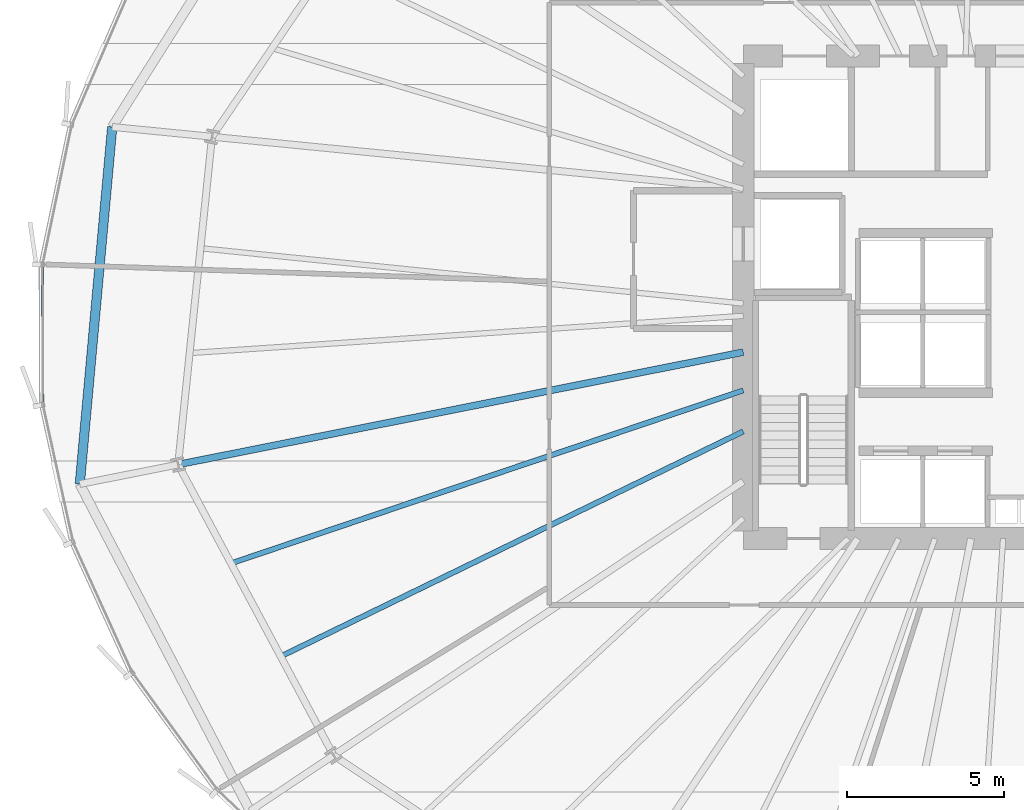
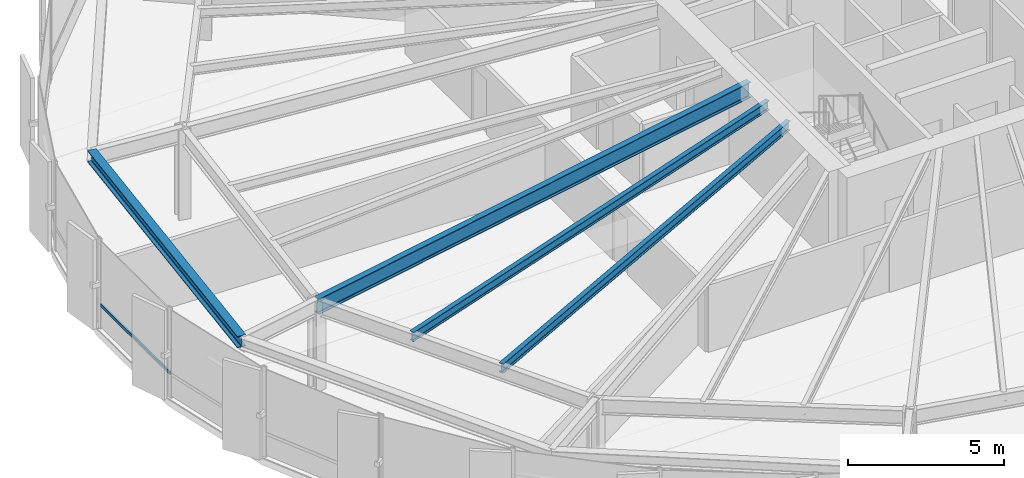
# One storey, part 8 of 37: 4 beams, 1 member, 1 element without a shape of its own.
"""IFC4 building model written with IfcOpenShell, lengths in metres."""

from ifc_helpers import new_model, si_unit, direction, frame, origin, origin_2d, place, context, subcontext, project, spatial, hollow_rectangle, i_section, extrude, source, transform, mapped, material, layer, layer_set, material_profile, profile_set, type_object, element, aggregate, save


model = new_model("IFC4")

# Units and contexts
model_context = context("Model", 3, precision=1e-05, world=origin(), true_north=direction((0.0, 1.0)))
body_context = subcontext(model_context, "Body", "Model", "MODEL_VIEW")
ifc_project = project(units=[si_unit("LENGTHUNIT", "METRE"), si_unit("AREAUNIT", "SQUARE_METRE"), si_unit("VOLUMEUNIT", "CUBIC_METRE"), si_unit("PLANEANGLEUNIT", "RADIAN"), si_unit("MASSUNIT", "GRAM", prefix="KILO"), si_unit("THERMODYNAMICTEMPERATUREUNIT", "KELVIN")], contexts=[model_context])

# Site, building, storey
site_placement = place(None, origin())
site = spatial("IfcSite", under=ifc_project, at=site_placement, CompositionType="ELEMENT")
building_placement = place(site_placement, origin())
building = spatial("IfcBuilding", under=site, at=building_placement, Name="Kethvar Cultural Tower", CompositionType="ELEMENT")
storey_placement = place(building_placement, frame((0.0, 0.0, 56.199951171875)))
storey = spatial("IfcBuildingStorey", under=building, at=storey_placement, Name="L13", CompositionType="ELEMENT", Elevation=56.199951171875)

# Beams
ifc_material_1 = material(Name="Steel S355J2", Category="steel")
ifc_material_profile_1 = material_profile(ifc_material_1, i_section(OverallWidth=0.219970703125, OverallDepth=0.60009765625, WebThickness=0.011962890625, FlangeThickness=0.01904296875, FilletRadius=0.02392578125, at=origin_2d()), Name="Steel S355J2 — IPE600")
ifc_profile_set_1 = profile_set([ifc_material_profile_1], Name="Steel S355J2 — IPE600")
beam_type_1 = type_object("IfcBeamType", Name="BM-IPE600", PredefinedType="BEAM", material=ifc_profile_set_1)
shared_shape_1 = source(origin(), body_context, "Body", "SweptSolid", [
    extrude(i_section(OverallWidth=0.219970703125, OverallDepth=0.60009765625, WebThickness=0.011962890625, FlangeThickness=0.01904296875, FilletRadius=0.02392578125, at=origin_2d()), origin(), (0.0, 0.0, 1.0), 18.387451171875),
])
beam_1_placement = place(storey_placement, frame((38.0, 26.049560546875, 3.248046875), z_axis=(-0.980785937774, -0.195087017162, 0.0), x_axis=(0.195087017162, -0.980785937774, 0.0)))
element("IfcBeam", 1, at=beam_1_placement, inside=storey, type_object=beam_type_1, Name="L13 Primary Radial Beam RB-09", PredefinedType="BEAM", context=body_context, shape_type="MappedRepresentation", body=[
    mapped(shared_shape_1, transform((0.0, 0.0, 0.0), scale=1.0)),
])
ifc_material_profile_2 = material_profile(ifc_material_1, i_section(OverallWidth=0.300048828125, OverallDepth=0.449951171875, WebThickness=0.013916015625, FlangeThickness=0.02587890625, FilletRadius=0.027099609375, at=origin_2d()), Name="Steel S355J2 — HEB450")
ifc_profile_set_2 = profile_set([ifc_material_profile_2], Name="Steel S355J2 — HEB450")
beam_type_2 = type_object("IfcBeamType", Name="BM-SP450", PredefinedType="SPANDREL", material=ifc_profile_set_2)
shared_shape_2 = source(origin(), body_context, "Body", "SweptSolid", [
    extrude(i_section(OverallWidth=0.300048828125, OverallDepth=0.449951171875, WebThickness=0.013916015625, FlangeThickness=0.02587890625, FilletRadius=0.027099609375, at=origin_2d()), origin(), (0.0, 0.0, 1.0), 11.445556640625),
])
beam_2_placement = place(storey_placement, frame((17.862548828125, 33.23681640625, 3.322998046875), z_axis=(-0.090441506594, -0.995901769195, 0.0), x_axis=(0.995901769195, -0.090441506594, 0.0)))
element("IfcBeam", 2, at=beam_2_placement, inside=storey, type_object=beam_type_2, Name="L13 Perimeter Spandrel Beam SP-08", PredefinedType="SPANDREL", context=body_context, shape_type="MappedRepresentation", body=[
    mapped(shared_shape_2, transform((0.0, 0.0, 0.0), scale=1.0)),
])
ifc_material_profile_3 = material_profile(ifc_material_1, i_section(OverallWidth=0.169921875, OverallDepth=0.360107421875, WebThickness=0.008056640625, FlangeThickness=0.0126953125, FilletRadius=0.01806640625, at=origin_2d()), Name="Steel S355J2 — IPE360")
ifc_profile_set_3 = profile_set([ifc_material_profile_3], Name="Steel S355J2 — IPE360")
beam_type_3 = type_object("IfcBeamType", Name="BM-J360", PredefinedType="JOIST", material=ifc_profile_set_3)
shared_shape_3 = source(origin(), body_context, "Body", "SweptSolid", [
    extrude(i_section(OverallWidth=0.169921875, OverallDepth=0.360107421875, WebThickness=0.008056640625, FlangeThickness=0.0126953125, FilletRadius=0.01806640625, at=origin_2d()), origin(), (0.0, 0.0, 1.0), 17.255126953125),
])
beam_3_placement = place(storey_placement, frame((38.0, 24.828369140625, 3.3681640625), z_axis=(-0.947435140552, -0.319947893332, 0.0), x_axis=(0.319947893332, -0.947435140552, 0.0)))
element("IfcBeam", 3, at=beam_3_placement, inside=storey, type_object=beam_type_3, Name="L13 Composite Floor Joist J-09A", PredefinedType="JOIST", context=body_context, shape_type="MappedRepresentation", body=[
    mapped(shared_shape_3, transform((0.0, 0.0, 0.0), scale=1.0)),
])
shared_shape_4 = source(origin(), body_context, "Body", "SweptSolid", [
    extrude(i_section(OverallWidth=0.169921875, OverallDepth=0.360107421875, WebThickness=0.008056640625, FlangeThickness=0.0126953125, FilletRadius=0.01806640625, at=origin_2d()), origin(), (0.0, 0.0, 1.0), 16.4150390625),
])
beam_4_placement = place(storey_placement, frame((38.0, 23.51904296875, 3.3681640625), z_axis=(-0.899246473736, -0.437442315595, 0.0), x_axis=(0.437442315595, -0.899246473736, 0.0)))
element("IfcBeam", 4, at=beam_4_placement, inside=storey, type_object=beam_type_3, Name="L13 Composite Floor Joist J-09B", PredefinedType="JOIST", context=body_context, shape_type="MappedRepresentation", body=[
    mapped(shared_shape_4, transform((0.0, 0.0, 0.0), scale=1.0)),
])

# Curtain wall, member
ifc_material_2 = material(Name="Aluminium 6063-T6", Category="aluminium")
ifc_layer = layer(ifc_material_2, 0.179931640625, Name="Aluminium 6063-T6", Category="aluminium")
ifc_layer_set = layer_set([ifc_layer], Name="Aluminium 6063-T6 (180 mm)")
curtain_wall_type = type_object("IfcCurtainWallType", Name="CW-SYS-02-Z1", PredefinedType="NOTDEFINED", material=ifc_layer_set)
curtain_wall_placement = place(storey_placement, origin())
curtain_wall = element("IfcCurtainWall", 5, at=curtain_wall_placement, inside=storey, type_object=curtain_wall_type, Name="L13 Curtain Wall Run 04", PredefinedType="NOTDEFINED")
ifc_material_profile_4 = material_profile(ifc_material_2, hollow_rectangle(XDim=0.054931640625, YDim=0.1201171875, WallThickness=0.00390625, at=origin_2d()), Name="Aluminium 6063-T6 — RHS120x55x4")
ifc_profile_set_4 = profile_set([ifc_material_profile_4], Name="Aluminium 6063-T6 — RHS120x55x4")
member_type = type_object("IfcMemberType", Name="CW-SYS-02-Z1-TRN", PredefinedType="USERDEFINED", material=ifc_profile_set_4)
shared_shape_5 = source(origin(), body_context, "Body", "SweptSolid", [
    extrude(hollow_rectangle(XDim=0.054931640625, YDim=0.1201171875, WallThickness=0.00390625, at=origin_2d()), origin(), (0.0, 0.0, 1.0), 4.409912109375),
])
member_placement = place(storey_placement, frame((15.6357421875, 28.80517578125, 0.949951171875), z_axis=(0.003598493005, -0.999993525403, 0.0), x_axis=(0.999993525403, 0.003598493005, 0.0)))
member = element("IfcMember", 6, at=member_placement, type_object=member_type, Name="CW-L13-R04 Transom 4", ObjectType="TRANSOM", PredefinedType="USERDEFINED", context=body_context, shape_type="MappedRepresentation", body=[
    mapped(shared_shape_5, transform((0.0, 0.0, 0.0), scale=1.0)),
])
aggregate(curtain_wall, [member])

save(model, "model.ifc")
